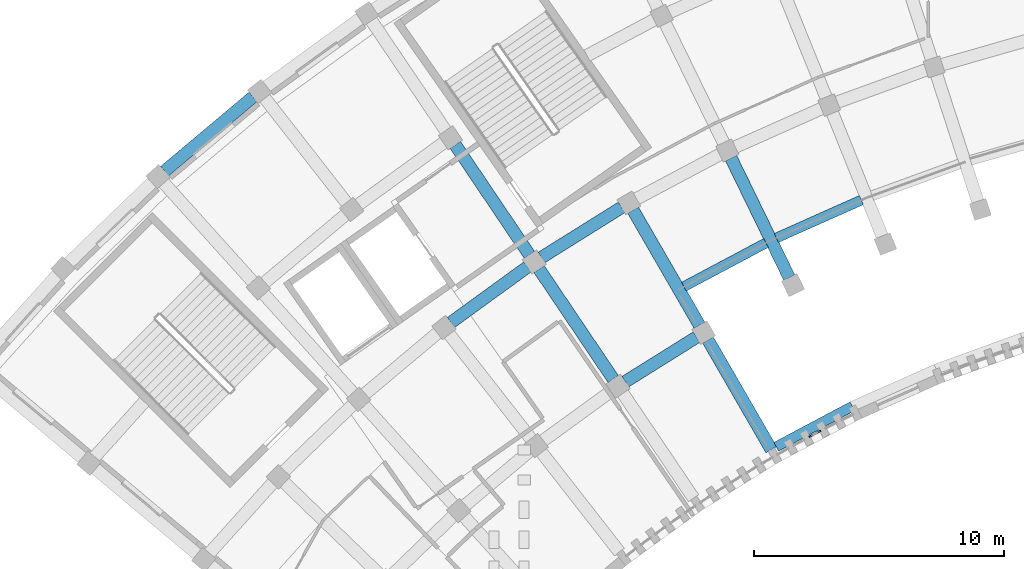
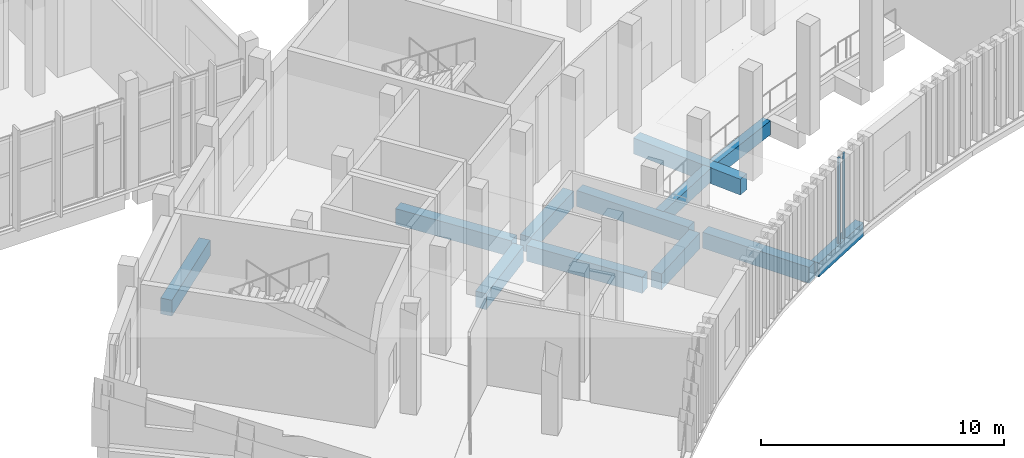
# One storey, part 7 of 112: 12 beams, 2 members, 1 element without a shape of its own.
"""IFC4 building model written with IfcOpenShell, lengths in metres."""

from ifc_helpers import new_model, si_unit, direction, frame, origin, origin_2d, place, context, subcontext, project, spatial, rectangle, extrude, material, layer, layer_set, material_profile, profile_set, type_object, element, aggregate, save


model = new_model("IFC4")

# Units and contexts
model_context = context("Model", 3, precision=1e-05, world=origin(), true_north=direction((0.0, 1.0)))
body_context = subcontext(model_context, "Body", "Model", "MODEL_VIEW")
ifc_project = project(units=[si_unit("LENGTHUNIT", "METRE"), si_unit("AREAUNIT", "SQUARE_METRE"), si_unit("VOLUMEUNIT", "CUBIC_METRE"), si_unit("PLANEANGLEUNIT", "RADIAN"), si_unit("MASSUNIT", "GRAM", prefix="KILO")], contexts=[model_context])

# Site, building, storey
site_placement = place(None, origin())
site = spatial("IfcSite", under=ifc_project, at=site_placement, CompositionType="ELEMENT")
building_placement = place(site_placement, origin())
building = spatial("IfcBuilding", under=site, at=building_placement, Name="Lunette Opera House", CompositionType="ELEMENT")
storey_placement = place(building_placement, frame((0.0, 0.0, 6.0)))
storey = spatial("IfcBuildingStorey", under=building, at=storey_placement, Name="L01", CompositionType="ELEMENT", Elevation=6.0)

# Curtain wall, members
ifc_material_1 = material(Name="Aluminium", Category="aluminium")
ifc_layer = layer(ifc_material_1, 0.1201171875)
ifc_layer_set = layer_set([ifc_layer], Name="Aluminium")
curtain_wall_type = type_object("IfcCurtainWallType", Name="SLOT CURTAIN WALL", PredefinedType="NOTDEFINED", material=ifc_layer_set)
curtain_wall_placement = place(storey_placement, origin())
curtain_wall = element("IfcCurtainWall", 1, at=curtain_wall_placement, inside=storey, type_object=curtain_wall_type, Name="Slot Curtain Wall CS018 L01", PredefinedType="NOTDEFINED")
ifc_material_2 = material(Name="Aluminium", Category="aluminium")
ifc_material_profile_1 = material_profile(ifc_material_2, rectangle(XDim=0.06005859375, YDim=0.159912109375, at=origin_2d()), Name="MULLION 60 X 160")
ifc_profile_set_1 = profile_set([ifc_material_profile_1], Name="Aluminium")
member_type = type_object("IfcMemberType", Name="MULLION 60 X 160", PredefinedType="MULLION", material=ifc_profile_set_1)
member_1_placement = place(storey_placement, frame((71.283447265625, 46.091064453125, 0.0), z_axis=(0.0, 0.0, 1.0), x_axis=(-0.469381737569, 0.882995347914, 0.0)))
member_1 = element("IfcMember", 2, at=member_1_placement, type_object=member_type, Name="FC-X2036 mullion 1", PredefinedType="MULLION", context=body_context, shape_type="SweptSolid", body=[
    extrude(rectangle(XDim=0.06005859375, YDim=0.159912109375, at=origin_2d()), origin(), (0.0, 0.0, 1.0), 4.300048828125),
])
member_2_placement = place(storey_placement, frame((71.610595703125, 46.264892578125, 0.0), z_axis=(0.0, 0.0, 1.0), x_axis=(-0.469381737569, 0.882995347914, 0.0)))
member_2 = element("IfcMember", 3, at=member_2_placement, type_object=member_type, Name="FC-X2036 mullion 2", PredefinedType="MULLION", context=body_context, shape_type="SweptSolid", body=[
    extrude(rectangle(XDim=0.06005859375, YDim=0.159912109375, at=origin_2d()), origin(), (0.0, 0.0, 1.0), 4.300048828125),
])
aggregate(curtain_wall, [member_1, member_2])

# Beams
ifc_material_3 = material(Name="Concrete C35/45", Category="concrete")
ifc_material_profile_2 = material_profile(ifc_material_3, rectangle(XDim=0.39990234375, YDim=0.699951171875, at=origin_2d()), Name="RC BEAM 400X700")
ifc_profile_set_2 = profile_set([ifc_material_profile_2], Name="Concrete C35/45")
beam_type_1 = type_object("IfcBeamType", Name="RC BEAM 400X700", PredefinedType="BEAM", material=ifc_profile_set_2)
beam_1_placement = place(storey_placement, frame((72.950927734375, 47.281982421875, -0.570068359375), z_axis=(-0.882884866183, -0.469589515496, 0.0), x_axis=(0.469589515496, -0.882884866183, 0.0)))
element("IfcBeam", 4, at=beam_1_placement, inside=storey, type_object=beam_type_1, Name="beam-FC-L01-TRL01-001", PredefinedType="BEAM", context=body_context, shape_type="SweptSolid", body=[
    extrude(rectangle(XDim=0.39990234375, YDim=0.699951171875, at=origin_2d()), origin(), (0.0, 0.0, 1.0), 3.4521484375),
])
for number, where, z_axis, x_axis, name in (
    (5, (66.202880859375, 52.070068359375, -0.570068359375), (0.882932473202, 0.46949999762, 0.0), (-0.46949999762, 0.882932473202, 0.0), "beam-FC-L01-TRL01-002"),
    (6, (69.907958984375, 54.02099609375, -0.570068359375), (0.913535831, 0.40675826418, 0.0), (-0.40675826418, 0.913535831, 0.0), "beam-FC-L01-TRL01-003"),
):
    element("IfcBeam", number, at=place(storey_placement, frame(where, z_axis=z_axis, x_axis=x_axis)), inside=storey, type_object=beam_type_1, Name=name, PredefinedType="BEAM", context=body_context, shape_type="SweptSolid", body=[
        extrude(rectangle(XDim=0.39990234375, YDim=0.699951171875, at=origin_2d()), origin(), (0.0, 0.0, 1.0), 3.727294921875),
    ])
ifc_material_4 = material(Name="Concrete C35/45", Category="concrete")
ifc_material_profile_3 = material_profile(ifc_material_4, rectangle(XDim=0.5, YDim=0.800048828125, at=origin_2d()), Name="RC BEAM 500X800")
ifc_profile_set_3 = profile_set([ifc_material_profile_3], Name="Concrete C35/45")
beam_type_2 = type_object("IfcBeamType", Name="RC BEAM 500X800", PredefinedType="BEAM", material=ifc_profile_set_3)
beam_2_placement = place(storey_placement, frame((63.376953125, 48.365966796875, -0.6201171875), z_axis=(-0.559129198637, 0.829080538447, 0.0), x_axis=(-0.829080538447, -0.559129198637, 0.0)))
element("IfcBeam", 7, at=beam_2_placement, inside=storey, type_object=beam_type_2, Name="beam-FC-L01-L01-RB-RL-05-2", PredefinedType="BEAM", context=body_context, shape_type="SweptSolid", body=[
    extrude(rectangle(XDim=0.5, YDim=0.800048828125, at=origin_2d()), origin(), (0.0, 0.0, 1.0), 5.320556640625),
])
beam_3_placement = place(storey_placement, frame((60.02197265625, 53.340087890625, -0.6201171875), z_axis=(-0.559150470636, 0.829066192284, 0.0), x_axis=(-0.829066192284, -0.559150470636, 0.0)))
element("IfcBeam", 8, at=beam_3_placement, inside=storey, type_object=beam_type_2, Name="beam-FC-L01-L01-RB-RL-05-3", PredefinedType="BEAM", context=body_context, shape_type="SweptSolid", body=[
    extrude(rectangle(XDim=0.5, YDim=0.800048828125, at=origin_2d()), origin(), (0.0, 0.0, 1.0), 5.3203125),
])
beam_4_placement = place(storey_placement, frame((69.705078125, 45.5439453125, -0.6201171875), z_axis=(-0.499991985073, 0.866030031155, 0.0), x_axis=(-0.866030031155, -0.499991985073, 0.0)))
element("IfcBeam", 9, at=beam_4_placement, inside=storey, type_object=beam_type_2, Name="beam-FC-L01-L01-RB-RL-06-1", PredefinedType="BEAM", context=body_context, shape_type="SweptSolid", body=[
    extrude(rectangle(XDim=0.5, YDim=0.800048828125, at=origin_2d()), origin(), (0.0, 0.0, 1.0), 5.0703125),
])
beam_5_placement = place(storey_placement, frame((66.830078125, 50.52392578125, -0.6201171875), z_axis=(-0.500028328365, 0.866009047777, 0.0), x_axis=(-0.866009047777, -0.500028328365, 0.0)))
element("IfcBeam", 10, at=beam_5_placement, inside=storey, type_object=beam_type_2, Name="beam-FC-L01-L01-RB-RL-06-2", PredefinedType="BEAM", context=body_context, shape_type="SweptSolid", body=[
    extrude(rectangle(XDim=0.5, YDim=0.800048828125, at=origin_2d()), origin(), (0.0, 0.0, 1.0), 5.320068359375),
])
beam_6_placement = place(storey_placement, frame((70.425048828125, 52.43603515625, -0.6201171875), z_axis=(-0.438398312975, 0.898780795957, 0.0), x_axis=(-0.898780795957, -0.438398312975, 0.0)))
element("IfcBeam", 11, at=beam_6_placement, inside=storey, type_object=beam_type_2, Name="beam-FC-L01-L01-RB-RL-07-2", PredefinedType="BEAM", context=body_context, shape_type="SweptSolid", body=[
    extrude(rectangle(XDim=0.5, YDim=0.800048828125, at=origin_2d()), origin(), (0.0, 0.0, 1.0), 5.3193359375),
])
beam_7_placement = place(storey_placement, frame((63.85595703125, 48.263916015625, -0.6201171875), z_axis=(0.847892378533, 0.530168383088, 0.0), x_axis=(-0.530168383088, 0.847892378533, 0.0)))
element("IfcBeam", 12, at=beam_7_placement, inside=storey, type_object=beam_type_2, Name="beam-FC-L01-L01-RG-AR-M1-RL-05", PredefinedType="BEAM", context=body_context, shape_type="SweptSolid", body=[
    extrude(rectangle(XDim=0.5, YDim=0.800048828125, at=origin_2d()), origin(), (0.0, 0.0, 1.0), 3.3671875),
])
beam_8_placement = place(storey_placement, frame((56.873046875, 50.633056640625, -0.6201171875), z_axis=(0.809173599982, 0.58756964276, 0.0), x_axis=(-0.58756964276, 0.809173599982, 0.0)))
element("IfcBeam", 13, at=beam_8_placement, inside=storey, type_object=beam_type_2, Name="beam-FC-L01-L01-RG-AR-B-RL-04", PredefinedType="BEAM", context=body_context, shape_type="SweptSolid", body=[
    extrude(rectangle(XDim=0.5, YDim=0.800048828125, at=origin_2d()), origin(), (0.0, 0.0, 1.0), 3.78662109375),
])
beam_9_placement = place(storey_placement, frame((60.5, 53.238037109375, -0.6201171875), z_axis=(0.847925878507, 0.530114803187, 0.0), x_axis=(-0.530114803187, 0.847925878507, 0.0)))
element("IfcBeam", 14, at=beam_9_placement, inside=storey, type_object=beam_type_2, Name="beam-FC-L01-L01-RG-AR-B-RL-05", PredefinedType="BEAM", context=body_context, shape_type="SweptSolid", body=[
    extrude(rectangle(XDim=0.5, YDim=0.800048828125, at=origin_2d()), origin(), (0.0, 0.0, 1.0), 3.7880859375),
])
beam_10_placement = place(storey_placement, frame((45.406982421875, 56.697998046875, -0.6201171875), z_axis=(0.766061536692, 0.64276723781, 0.0), x_axis=(-0.64276723781, 0.766061536692, 0.0)))
element("IfcBeam", 15, at=beam_10_placement, inside=storey, type_object=beam_type_2, Name="beam-FC-L01-L01-RG-AR-C-RL-03", PredefinedType="BEAM", context=body_context, shape_type="SweptSolid", body=[
    extrude(rectangle(XDim=0.5, YDim=0.800048828125, at=origin_2d()), origin(), (0.0, 0.0, 1.0), 4.62353515625),
])

save(model, "model.ifc")
